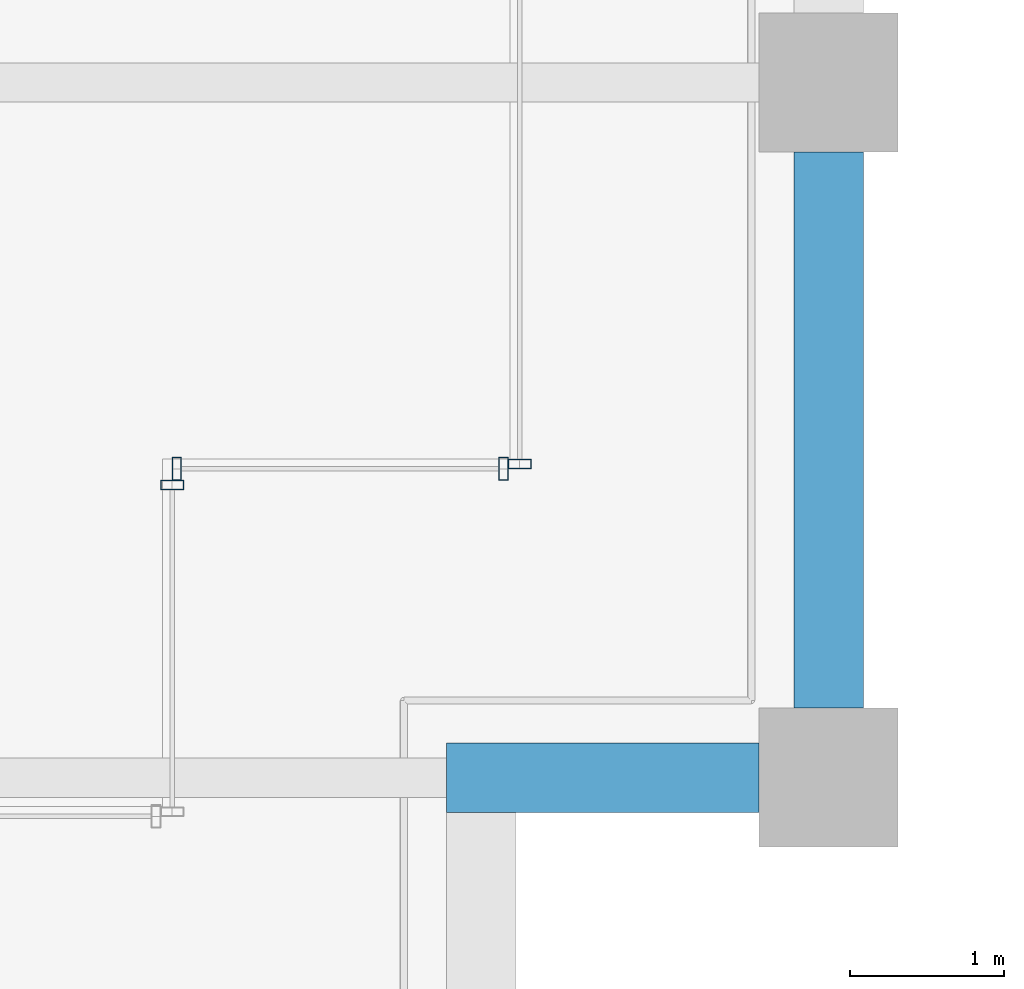
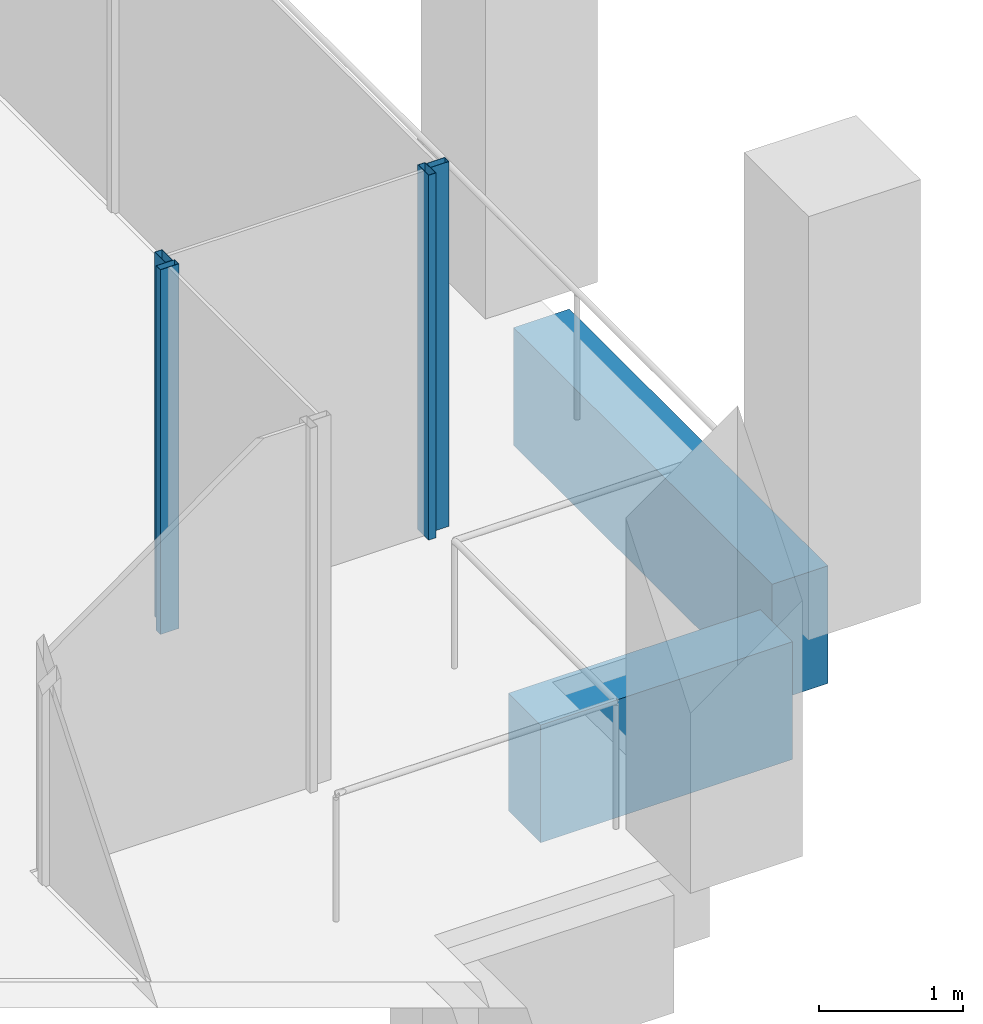
# One storey, part 13 of 40: 4 members, 2 beams, 3 elements without a shape of their own.
"""IFC4 building model written with IfcOpenShell, lengths in metres."""

from ifc_helpers import new_model, si_unit, direction, frame, origin, origin_2d, place, context, subcontext, project, spatial, rectangle, hollow_rectangle, extrude, material, material_profile, profile_set, type_object, element, aggregate, save


model = new_model("IFC4")

# Units and contexts
model_context = context("Model", 3, precision=1e-05, world=origin(), true_north=direction((0.0, 1.0)))
body_context = subcontext(model_context, "Body", "Model", "MODEL_VIEW")
ifc_project = project(units=[si_unit("LENGTHUNIT", "METRE"), si_unit("AREAUNIT", "SQUARE_METRE"), si_unit("VOLUMEUNIT", "CUBIC_METRE"), si_unit("PLANEANGLEUNIT", "RADIAN"), si_unit("MASSUNIT", "GRAM", prefix="KILO")], contexts=[model_context])

# Site, building, storey
site_placement = place(None, origin())
site = spatial("IfcSite", under=ifc_project, at=site_placement, CompositionType="ELEMENT")
building_placement = place(site_placement, origin())
building = spatial("IfcBuilding", under=site, at=building_placement, Name="Altepetl Exchange Towers", CompositionType="ELEMENT")
storey_placement = place(building_placement, frame((0.0, 0.0, 165.39990234375)))
storey = spatial("IfcBuildingStorey", under=building, at=storey_placement, Name="L41", CompositionType="ELEMENT", Elevation=165.39990234375)

# Curtain wall, member
ifc_material_1 = material(Name="Aluminium 6063-T6 glazing", Category="aluminium")
curtain_wall_type = type_object("IfcCurtainWallType", Name="Loggia glazing system", PredefinedType="NOTDEFINED", material=ifc_material_1)
curtain_wall_1_placement = place(storey_placement, origin())
curtain_wall_1 = element("IfcCurtainWall", 1, at=curtain_wall_1_placement, inside=storey, type_object=curtain_wall_type, Name="CW1 run", PredefinedType="NOTDEFINED")
ifc_material_2 = material(Name="Aluminium 6063-T6", Category="aluminium")
ifc_material_profile_1 = material_profile(ifc_material_2, hollow_rectangle(XDim=0.06005859375, YDim=0.14990234375, WallThickness=0.0029296875, at=origin_2d()), Name="Mullion 60x150 aluminium")
ifc_profile_set_1 = profile_set([ifc_material_profile_1], Name="Aluminium 6063-T6")
member_type = type_object("IfcMemberType", Name="Mullion 60x150 aluminium", PredefinedType="MULLION", material=ifc_profile_set_1)
member_1_placement = place(storey_placement, frame((67.75, 33.39501953125, 0.0), z_axis=(0.0, 0.0, 1.0), x_axis=(0.0, 1.0, 0.0)))
member_1 = element("IfcMember", 2, at=member_1_placement, type_object=member_type, Name="MU1 mullion", PredefinedType="MULLION", context=body_context, shape_type="SweptSolid", body=[
    extrude(hollow_rectangle(XDim=0.06005859375, YDim=0.14990234375, WallThickness=0.0029296875, at=origin_2d()), origin(), (0.0, 0.0, 1.0), 3.10009765625),
])
aggregate(curtain_wall_1, [member_1])

# Curtain wall, members
curtain_wall_2_placement = place(storey_placement, origin())
curtain_wall_2 = element("IfcCurtainWall", 3, at=curtain_wall_2_placement, inside=storey, type_object=curtain_wall_type, Name="CW1 run", PredefinedType="NOTDEFINED")
member_2_placement = place(storey_placement, frame((67.780029296875, 33.5, 0.0)))
member_2 = element("IfcMember", 4, at=member_2_placement, type_object=member_type, Name="MU1 mullion", PredefinedType="MULLION", context=body_context, shape_type="SweptSolid", body=[
    extrude(hollow_rectangle(XDim=0.06005859375, YDim=0.14990234375, WallThickness=0.0029296875, at=origin_2d()), origin(), (0.0, 0.0, 1.0), 3.10009765625),
])
member_3_placement = place(storey_placement, frame((69.89501953125, 33.5, 0.0)))
member_3 = element("IfcMember", 5, at=member_3_placement, type_object=member_type, Name="MU1 mullion", PredefinedType="MULLION", context=body_context, shape_type="SweptSolid", body=[
    extrude(hollow_rectangle(XDim=0.06005859375, YDim=0.14990234375, WallThickness=0.0029296875, at=origin_2d()), origin(), (0.0, 0.0, 1.0), 3.10009765625),
])
aggregate(curtain_wall_2, [member_2, member_3])

# Curtain wall, member
curtain_wall_3_placement = place(storey_placement, origin())
curtain_wall_3 = element("IfcCurtainWall", 6, at=curtain_wall_3_placement, inside=storey, type_object=curtain_wall_type, Name="CW1 run", PredefinedType="NOTDEFINED")
member_4_placement = place(storey_placement, frame((70.0, 33.530029296875, 0.0), z_axis=(0.0, 0.0, 1.0), x_axis=(0.0, 1.0, 0.0)))
member_4 = element("IfcMember", 7, at=member_4_placement, type_object=member_type, Name="MU1 mullion", PredefinedType="MULLION", context=body_context, shape_type="SweptSolid", body=[
    extrude(hollow_rectangle(XDim=0.06005859375, YDim=0.14990234375, WallThickness=0.0029296875, at=origin_2d()), origin(), (0.0, 0.0, 1.0), 3.10009765625),
])
aggregate(curtain_wall_3, [member_4])

# Beams
ifc_material_3 = material(Name="Concrete C50/60 precast with cantera amarilla facing", Category="concrete")
ifc_material_profile_2 = material_profile(ifc_material_3, rectangle(XDim=0.449951171875, YDim=1.0, at=origin_2d()), Name="450 x 1000")
ifc_profile_set_2 = profile_set([ifc_material_profile_2], Name="Concrete C50/60 precast with cantera amarilla facing")
beam_type = type_object("IfcBeamType", Name="Spandrel beam 450x1000 cantera amarilla", PredefinedType="SPANDREL", material=ifc_profile_set_2)
beam_1_placement = place(storey_placement, frame((69.52490234375, 31.5, -0.64990234375), z_axis=(1.0, 0.0, 0.0), x_axis=(0.0, 1.0, 0.0)))
element("IfcBeam", 8, at=beam_1_placement, inside=storey, type_object=beam_type, Name="sp:A:L41:011", PredefinedType="SPANDREL", context=body_context, shape_type="SweptSolid", body=[
    extrude(rectangle(XDim=0.449951171875, YDim=1.0, at=origin_2d()), origin(), (0.0, 0.0, 1.0), 2.025146484375),
])
beam_2_placement = place(storey_placement, frame((72.0, 31.949951171875, -0.64990234375), z_axis=(0.0, 1.0, 0.0), x_axis=(-1.0, 0.0, 0.0)))
element("IfcBeam", 9, at=beam_2_placement, inside=storey, type_object=beam_type, Name="sp:A:L41:012", PredefinedType="SPANDREL", context=body_context, shape_type="SweptSolid", body=[
    extrude(rectangle(XDim=0.449951171875, YDim=1.0, at=origin_2d()), origin(), (0.0, 0.0, 1.0), 3.60009765625),
])

save(model, "model.ifc")
